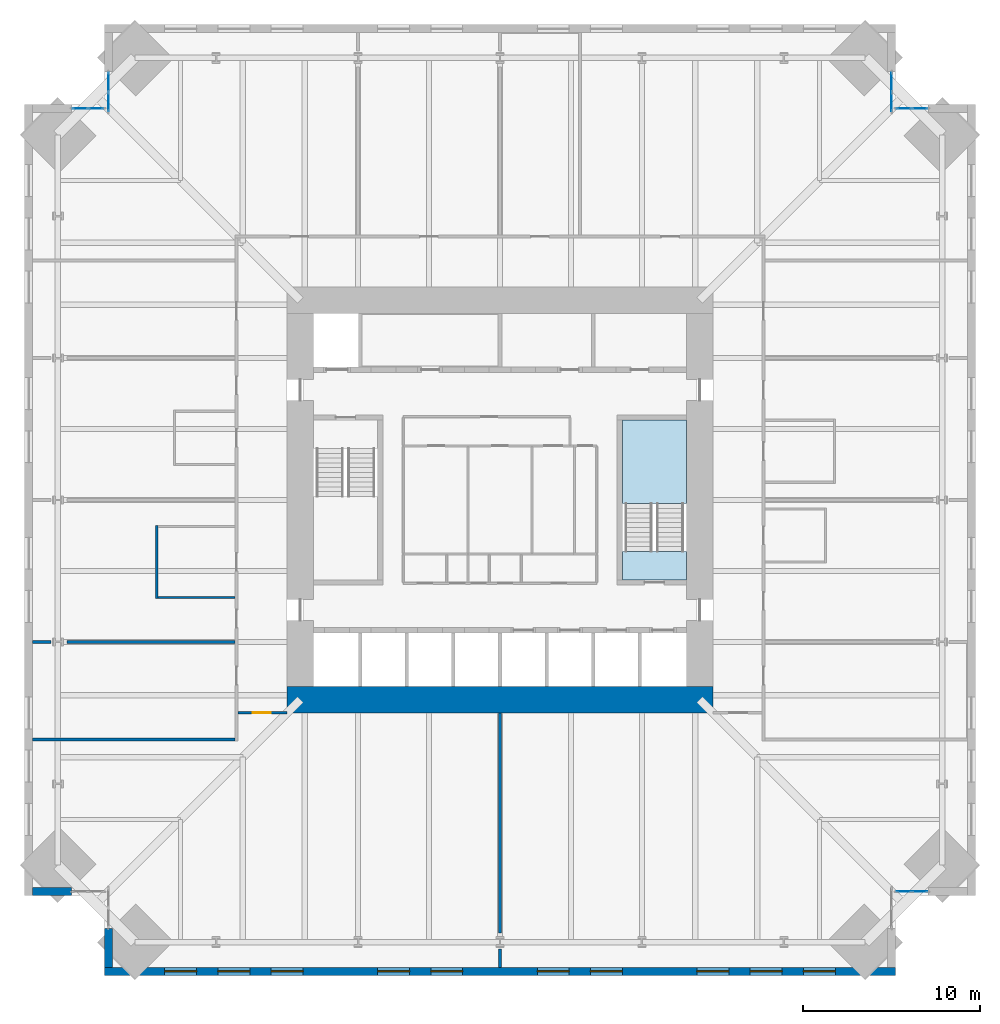
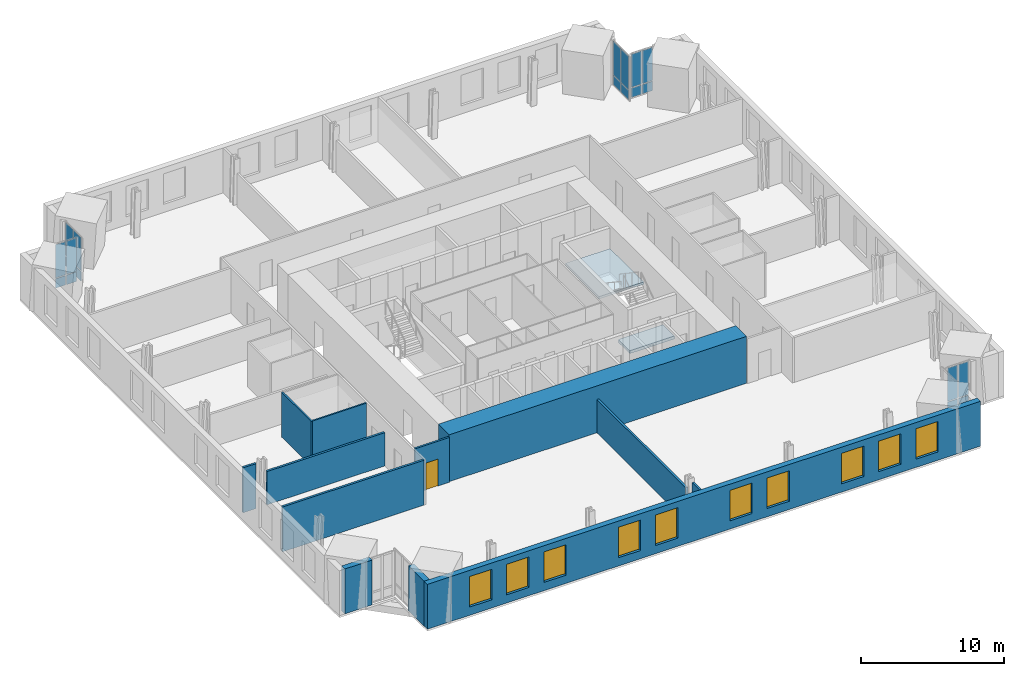
# One storey, part 11 of 17: 20 plates, 12 walls, 10 windows, 2 slabs, 1 door, 11 openings, 6 elements without a shape of their own.
"""IFC4 building model written with IfcOpenShell, lengths in metres."""

from ifc_helpers import new_model, si_unit, direction, frame, frame_2d, origin, origin_2d, place, context, subcontext, project, spatial, polyline, rectangle, outline, extrude, material, layer, layer_set, type_object, element, fill, aggregate, save


model = new_model("IFC4")

# Units and contexts
model_context = context("Model", 3, precision=1e-05, world=origin(), true_north=direction((0.0, 1.0)))
body_context = subcontext(model_context, "Body", "Model", "MODEL_VIEW")
ifc_project = project(units=[si_unit("LENGTHUNIT", "METRE"), si_unit("AREAUNIT", "SQUARE_METRE"), si_unit("VOLUMEUNIT", "CUBIC_METRE"), si_unit("PLANEANGLEUNIT", "RADIAN"), si_unit("MASSUNIT", "GRAM", prefix="KILO")], contexts=[model_context])

# Site, building, storey
site_placement = place(None, origin())
site = spatial("IfcSite", under=ifc_project, at=site_placement, CompositionType="ELEMENT")
building_placement = place(site_placement, origin())
building = spatial("IfcBuilding", under=site, at=building_placement, Name="Peilmerk Tower", CompositionType="ELEMENT")
storey_placement = place(building_placement, frame((0.0, 0.0, 147.800048828125)))
storey = spatial("IfcBuildingStorey", under=building, at=storey_placement, Name="L30", CompositionType="ELEMENT", Elevation=147.800048828125)

# Curtain wall, plates
ifc_material_1 = material(Name="Aluminium stick curtain wall", Category="aluminium")
curtain_wall_type = type_object("IfcCurtainWallType", Name="CW3 stick curtain wall, 2250 module", PredefinedType="NOTDEFINED", material=ifc_material_1)
curtain_wall_1_placement = place(storey_placement, origin())
curtain_wall_1 = element("IfcCurtainWall", 1, at=curtain_wall_1_placement, inside=storey, type_object=curtain_wall_type, Name="Curtain wall CW3 NEA L30", PredefinedType="NOTDEFINED")
ifc_material_2 = material(Name="Clear insulated glazing unit", Category="glass")
ifc_layer_1 = layer(ifc_material_2, 0.028076171875)
ifc_layer_set_1 = layer_set([ifc_layer_1], Name="Clear insulated glazing unit")
plate_type = type_object("IfcPlateType", Name="CW3-P 28 glazed panel", PredefinedType="CURTAIN_PANEL", material=ifc_layer_set_1)
plate_1_placement = place(storey_placement, frame((22.074951171875, 22.4384765625, 0.06494140625), z_axis=(0.0, 0.0, 1.0), x_axis=(0.0, 1.0, 0.0)))
plate_1 = element("IfcPlate", 2, at=plate_1_placement, type_object=plate_type, Name="CW3 panel 1.1", PredefinedType="CURTAIN_PANEL", context=body_context, shape_type="SweptSolid", body=[
    extrude(rectangle(XDim=1.046875, YDim=0.028076171875, at=origin_2d()), origin(), (0.0, 0.0, 1.0), 0.802490234375),
])
plate_2_placement = place(storey_placement, frame((22.074951171875, 22.4384765625, 0.932373046875), z_axis=(0.0, 0.0, 1.0), x_axis=(0.0, 1.0, 0.0)))
plate_2 = element("IfcPlate", 3, at=plate_2_placement, type_object=plate_type, Name="CW3 panel 1.2", PredefinedType="CURTAIN_PANEL", context=body_context, shape_type="SweptSolid", body=[
    extrude(rectangle(XDim=1.046875, YDim=0.028076171875, at=origin_2d()), origin(), (0.0, 0.0, 1.0), 2.83251953125),
])
plate_3_placement = place(storey_placement, frame((22.074951171875, 23.55029296875, 0.06494140625), z_axis=(0.0, 0.0, 1.0), x_axis=(0.0, 1.0, 0.0)))
plate_3 = element("IfcPlate", 4, at=plate_3_placement, type_object=plate_type, Name="CW3 panel 2.1", PredefinedType="CURTAIN_PANEL", context=body_context, shape_type="SweptSolid", body=[
    extrude(rectangle(XDim=1.046875, YDim=0.028076171875, at=origin_2d()), origin(), (0.0, 0.0, 1.0), 0.802490234375),
])
plate_4_placement = place(storey_placement, frame((22.074951171875, 23.55029296875, 0.932373046875), z_axis=(0.0, 0.0, 1.0), x_axis=(0.0, 1.0, 0.0)))
plate_4 = element("IfcPlate", 5, at=plate_4_placement, type_object=plate_type, Name="CW3 panel 2.2", PredefinedType="CURTAIN_PANEL", context=body_context, shape_type="SweptSolid", body=[
    extrude(rectangle(XDim=1.046875, YDim=0.028076171875, at=origin_2d()), origin(), (0.0, 0.0, 1.0), 2.83251953125),
])
aggregate(curtain_wall_1, [plate_1, plate_2, plate_3, plate_4])

curtain_wall_2_placement = place(storey_placement, origin())
curtain_wall_2 = element("IfcCurtainWall", 6, at=curtain_wall_2_placement, inside=storey, type_object=curtain_wall_type, Name="Curtain wall CW3 NEB L30", PredefinedType="NOTDEFINED")
plate_5_placement = place(storey_placement, frame((22.77587890625, 22.074951171875, 0.06494140625), z_axis=(0.0, 0.0, 1.0), x_axis=(1.0, 0.0, 0.0)))
plate_5 = element("IfcPlate", 7, at=plate_5_placement, type_object=plate_type, Name="CW3 panel 1.1", PredefinedType="CURTAIN_PANEL", context=body_context, shape_type="SweptSolid", body=[
    extrude(rectangle(XDim=0.82177734375, YDim=0.028076171875, at=origin_2d()), origin(), (0.0, 0.0, 1.0), 0.802490234375),
])
plate_6_placement = place(storey_placement, frame((22.77587890625, 22.074951171875, 0.932373046875), z_axis=(0.0, 0.0, 1.0), x_axis=(1.0, 0.0, 0.0)))
plate_6 = element("IfcPlate", 8, at=plate_6_placement, type_object=plate_type, Name="CW3 panel 1.2", PredefinedType="CURTAIN_PANEL", context=body_context, shape_type="SweptSolid", body=[
    extrude(rectangle(XDim=0.82177734375, YDim=0.028076171875, at=origin_2d()), origin(), (0.0, 0.0, 1.0), 2.83251953125),
])
plate_7_placement = place(storey_placement, frame((23.662841796875, 22.074951171875, 0.06494140625), z_axis=(0.0, 0.0, 1.0), x_axis=(1.0, 0.0, 0.0)))
plate_7 = element("IfcPlate", 9, at=plate_7_placement, type_object=plate_type, Name="CW3 panel 2.1", PredefinedType="CURTAIN_PANEL", context=body_context, shape_type="SweptSolid", body=[
    extrude(rectangle(XDim=0.82177734375, YDim=0.028076171875, at=origin_2d()), origin(), (0.0, 0.0, 1.0), 0.802490234375),
])
plate_8_placement = place(storey_placement, frame((23.662841796875, 22.074951171875, 0.932373046875), z_axis=(0.0, 0.0, 1.0), x_axis=(1.0, 0.0, 0.0)))
plate_8 = element("IfcPlate", 10, at=plate_8_placement, type_object=plate_type, Name="CW3 panel 2.2", PredefinedType="CURTAIN_PANEL", context=body_context, shape_type="SweptSolid", body=[
    extrude(rectangle(XDim=0.82177734375, YDim=0.028076171875, at=origin_2d()), origin(), (0.0, 0.0, 1.0), 2.83251953125),
])
aggregate(curtain_wall_2, [plate_5, plate_6, plate_7, plate_8])

curtain_wall_3_placement = place(storey_placement, origin())
curtain_wall_3 = element("IfcCurtainWall", 11, at=curtain_wall_3_placement, inside=storey, type_object=curtain_wall_type, Name="Curtain wall CW3 SEB L30", PredefinedType="NOTDEFINED")
plate_9_placement = place(storey_placement, frame((22.77587890625, -22.074951171875, 0.06494140625), z_axis=(0.0, 0.0, 1.0), x_axis=(1.0, 0.0, 0.0)))
plate_9 = element("IfcPlate", 12, at=plate_9_placement, type_object=plate_type, Name="CW3 panel 1.1", PredefinedType="CURTAIN_PANEL", context=body_context, shape_type="SweptSolid", body=[
    extrude(rectangle(XDim=0.82177734375, YDim=0.028076171875, at=origin_2d()), origin(), (0.0, 0.0, 1.0), 0.802490234375),
])
plate_10_placement = place(storey_placement, frame((22.77587890625, -22.074951171875, 0.932373046875), z_axis=(0.0, 0.0, 1.0), x_axis=(1.0, 0.0, 0.0)))
plate_10 = element("IfcPlate", 13, at=plate_10_placement, type_object=plate_type, Name="CW3 panel 1.2", PredefinedType="CURTAIN_PANEL", context=body_context, shape_type="SweptSolid", body=[
    extrude(rectangle(XDim=0.82177734375, YDim=0.028076171875, at=origin_2d()), origin(), (0.0, 0.0, 1.0), 2.83251953125),
])
plate_11_placement = place(storey_placement, frame((23.662841796875, -22.074951171875, 0.06494140625), z_axis=(0.0, 0.0, 1.0), x_axis=(1.0, 0.0, 0.0)))
plate_11 = element("IfcPlate", 14, at=plate_11_placement, type_object=plate_type, Name="CW3 panel 2.1", PredefinedType="CURTAIN_PANEL", context=body_context, shape_type="SweptSolid", body=[
    extrude(rectangle(XDim=0.82177734375, YDim=0.028076171875, at=origin_2d()), origin(), (0.0, 0.0, 1.0), 0.802490234375),
])
plate_12_placement = place(storey_placement, frame((23.662841796875, -22.074951171875, 0.932373046875), z_axis=(0.0, 0.0, 1.0), x_axis=(1.0, 0.0, 0.0)))
plate_12 = element("IfcPlate", 15, at=plate_12_placement, type_object=plate_type, Name="CW3 panel 2.2", PredefinedType="CURTAIN_PANEL", context=body_context, shape_type="SweptSolid", body=[
    extrude(rectangle(XDim=0.82177734375, YDim=0.028076171875, at=origin_2d()), origin(), (0.0, 0.0, 1.0), 2.83251953125),
])
aggregate(curtain_wall_3, [plate_9, plate_10, plate_11, plate_12])

curtain_wall_4_placement = place(storey_placement, origin())
curtain_wall_4 = element("IfcCurtainWall", 16, at=curtain_wall_4_placement, inside=storey, type_object=curtain_wall_type, Name="Curtain wall CW3 NWA L30", PredefinedType="NOTDEFINED")
plate_13_placement = place(storey_placement, frame((-22.074951171875, 22.4384765625, 0.06494140625), z_axis=(0.0, 0.0, 1.0), x_axis=(0.0, 1.0, 0.0)))
plate_13 = element("IfcPlate", 17, at=plate_13_placement, type_object=plate_type, Name="CW3 panel 1.1", PredefinedType="CURTAIN_PANEL", context=body_context, shape_type="SweptSolid", body=[
    extrude(rectangle(XDim=1.046875, YDim=0.028076171875, at=origin_2d()), origin(), (0.0, 0.0, 1.0), 0.802490234375),
])
plate_14_placement = place(storey_placement, frame((-22.074951171875, 22.4384765625, 0.932373046875), z_axis=(0.0, 0.0, 1.0), x_axis=(0.0, 1.0, 0.0)))
plate_14 = element("IfcPlate", 18, at=plate_14_placement, type_object=plate_type, Name="CW3 panel 1.2", PredefinedType="CURTAIN_PANEL", context=body_context, shape_type="SweptSolid", body=[
    extrude(rectangle(XDim=1.046875, YDim=0.028076171875, at=origin_2d()), origin(), (0.0, 0.0, 1.0), 2.83251953125),
])
plate_15_placement = place(storey_placement, frame((-22.074951171875, 23.55029296875, 0.06494140625), z_axis=(0.0, 0.0, 1.0), x_axis=(0.0, 1.0, 0.0)))
plate_15 = element("IfcPlate", 19, at=plate_15_placement, type_object=plate_type, Name="CW3 panel 2.1", PredefinedType="CURTAIN_PANEL", context=body_context, shape_type="SweptSolid", body=[
    extrude(rectangle(XDim=1.046875, YDim=0.028076171875, at=origin_2d()), origin(), (0.0, 0.0, 1.0), 0.802490234375),
])
plate_16_placement = place(storey_placement, frame((-22.074951171875, 23.55029296875, 0.932373046875), z_axis=(0.0, 0.0, 1.0), x_axis=(0.0, 1.0, 0.0)))
plate_16 = element("IfcPlate", 20, at=plate_16_placement, type_object=plate_type, Name="CW3 panel 2.2", PredefinedType="CURTAIN_PANEL", context=body_context, shape_type="SweptSolid", body=[
    extrude(rectangle(XDim=1.046875, YDim=0.028076171875, at=origin_2d()), origin(), (0.0, 0.0, 1.0), 2.83251953125),
])
aggregate(curtain_wall_4, [plate_13, plate_14, plate_15, plate_16])

curtain_wall_5_placement = place(storey_placement, origin())
curtain_wall_5 = element("IfcCurtainWall", 21, at=curtain_wall_5_placement, inside=storey, type_object=curtain_wall_type, Name="Curtain wall CW3 NWB L30", PredefinedType="NOTDEFINED")
plate_17_placement = place(storey_placement, frame((-22.77587890625, 22.074951171875, 0.06494140625), z_axis=(0.0, 0.0, 1.0), x_axis=(-1.0, 0.0, 0.0)))
plate_17 = element("IfcPlate", 22, at=plate_17_placement, type_object=plate_type, Name="CW3 panel 1.1", PredefinedType="CURTAIN_PANEL", context=body_context, shape_type="SweptSolid", body=[
    extrude(rectangle(XDim=0.82177734375, YDim=0.028076171875, at=origin_2d()), origin(), (0.0, 0.0, 1.0), 0.802490234375),
])
plate_18_placement = place(storey_placement, frame((-22.77587890625, 22.074951171875, 0.932373046875), z_axis=(0.0, 0.0, 1.0), x_axis=(-1.0, 0.0, 0.0)))
plate_18 = element("IfcPlate", 23, at=plate_18_placement, type_object=plate_type, Name="CW3 panel 1.2", PredefinedType="CURTAIN_PANEL", context=body_context, shape_type="SweptSolid", body=[
    extrude(rectangle(XDim=0.82177734375, YDim=0.028076171875, at=origin_2d()), origin(), (0.0, 0.0, 1.0), 2.83251953125),
])
plate_19_placement = place(storey_placement, frame((-23.662841796875, 22.074951171875, 0.06494140625), z_axis=(0.0, 0.0, 1.0), x_axis=(-1.0, 0.0, 0.0)))
plate_19 = element("IfcPlate", 24, at=plate_19_placement, type_object=plate_type, Name="CW3 panel 2.1", PredefinedType="CURTAIN_PANEL", context=body_context, shape_type="SweptSolid", body=[
    extrude(rectangle(XDim=0.82177734375, YDim=0.028076171875, at=origin_2d()), origin(), (0.0, 0.0, 1.0), 0.802490234375),
])
plate_20_placement = place(storey_placement, frame((-23.662841796875, 22.074951171875, 0.932373046875), z_axis=(0.0, 0.0, 1.0), x_axis=(-1.0, 0.0, 0.0)))
plate_20 = element("IfcPlate", 25, at=plate_20_placement, type_object=plate_type, Name="CW3 panel 2.2", PredefinedType="CURTAIN_PANEL", context=body_context, shape_type="SweptSolid", body=[
    extrude(rectangle(XDim=0.82177734375, YDim=0.028076171875, at=origin_2d()), origin(), (0.0, 0.0, 1.0), 2.83251953125),
])
aggregate(curtain_wall_5, [plate_17, plate_18, plate_19, plate_20])

# Stair, slabs
ifc_material_3 = material(Name="Precast concrete C45/55", Category="concrete")
stair_type = type_object("IfcStairType", Name="ST2 22 risers of 181.8", PredefinedType="HALF_TURN_STAIR", material=ifc_material_3)
stair_placement = place(storey_placement, origin())
stair = element("IfcStair", 26, at=stair_placement, inside=storey, type_object=stair_type, Name="Stair 2 L30 to L31", PredefinedType="HALF_TURN_STAIR")
ifc_material_4 = material(Name="Concrete C35/45", Category="concrete")
ifc_layer_2 = layer(ifc_material_4, 0.199951171875)
ifc_layer_set_2 = layer_set([ifc_layer_2], Name="Concrete C35/45")
slab_type_1 = type_object("IfcSlabType", Name="SL1 200 concrete stair landing", PredefinedType="LANDING", material=ifc_layer_set_2)
slab_1_placement = place(storey_placement, frame((0.0, 0.0, 1.800048828125)))
slab_1 = element("IfcSlab", 27, at=slab_1_placement, type_object=slab_type_1, Name="ST2 landing 1", PredefinedType="LANDING", context=body_context, shape_type="SweptSolid", body=[
    extrude(outline(polyline([(6.89990234375, -0.199951171875), (10.5, -0.199951171875), (10.5, 4.5), (6.89990234375, 4.5), (6.89990234375, -0.199951171875)])), origin(), (0.0, 0.0, 1.0), 0.199951171875),
])
ifc_layer_3 = layer(ifc_material_4, 0.25)
ifc_layer_set_3 = layer_set([ifc_layer_3], Name="Concrete C35/45")
slab_type_2 = type_object("IfcSlabType", Name="SL2 250 concrete floor landing", PredefinedType="LANDING", material=ifc_layer_set_3)
slab_2_placement = place(storey_placement, frame((0.0, 0.0, -0.25)))
slab_2 = element("IfcSlab", 28, at=slab_2_placement, type_object=slab_type_2, Name="ST2 floor landing", PredefinedType="LANDING", context=body_context, shape_type="SweptSolid", body=[
    extrude(outline(polyline([(6.89990234375, -4.5), (10.5, -4.5), (10.5, -2.89990234375), (6.89990234375, -2.89990234375), (6.89990234375, -4.5)])), origin(), (0.0, 0.0, 1.0), 0.25),
])
aggregate(stair, [slab_1, slab_2])

# Wall, openings, windows
ifc_material_5 = material(Name="Precast concrete C45/55, board-marked finish", Category="concrete")
ifc_layer_4 = layer(ifc_material_5, 0.449951171875)
ifc_layer_set_4 = layer_set([ifc_layer_4], Name="Precast concrete C45/55, board-marked finish")
wall_type_1 = type_object("IfcWallType", Name="EW1 450 precast concrete facade wall, board-marked", PredefinedType="SOLIDWALL", material=ifc_layer_set_4)
wall_1_placement = place(storey_placement, frame((-22.300048828125, -26.574951171875, 0.0), z_axis=(0.0, 0.0, 1.0), x_axis=(1.0, 0.0, 0.0)))
wall_1 = element("IfcWall", 29, at=wall_1_placement, inside=storey, type_object=wall_type_1, Name="Facade wall S L30", PredefinedType="SOLIDWALL", context=body_context, shape_type="SweptSolid", body=[
    extrude(rectangle(XDim=44.60009765625, YDim=0.449951171875, at=frame_2d((22.300048828125, 0.0))), origin(), (0.0, 0.0, 1.0), 3.829833984375),
])
opening_1_placement = place(wall_1_placement, frame((3.39990234375, 0.0, 0.699951171875)))
opening_1 = element("IfcOpeningElement", 30, at=opening_1_placement, cuts=wall_1, Name="Opening W1", PredefinedType="OPENING", context=body_context, shape_type="SweptSolid", body=[
    extrude(rectangle(XDim=1.800048828125, YDim=2.60009765625, at=frame_2d((0.89990234375, 1.300048828125))), frame((0.0, 0.23486328125, 0.0), z_axis=(0.0, -1.0, 0.0), x_axis=(1.0, 0.0, 0.0)), (0.0, 0.0, 1.0), 0.469970703125),
])
opening_2_placement = place(wall_1_placement, frame((6.39990234375, 0.0, 0.699951171875)))
opening_2 = element("IfcOpeningElement", 31, at=opening_2_placement, cuts=wall_1, Name="Opening W1", PredefinedType="OPENING", context=body_context, shape_type="SweptSolid", body=[
    extrude(rectangle(XDim=1.800048828125, YDim=2.60009765625, at=frame_2d((0.89990234375, 1.300048828125))), frame((0.0, 0.23486328125, 0.0), z_axis=(0.0, -1.0, 0.0), x_axis=(1.0, 0.0, 0.0)), (0.0, 0.0, 1.0), 0.469970703125),
])
opening_3_placement = place(wall_1_placement, frame((9.39990234375, 0.0, 0.699951171875)))
opening_3 = element("IfcOpeningElement", 32, at=opening_3_placement, cuts=wall_1, Name="Opening W1", PredefinedType="OPENING", context=body_context, shape_type="SweptSolid", body=[
    extrude(rectangle(XDim=1.800048828125, YDim=2.60009765625, at=frame_2d((0.89990234375, 1.300048828125))), frame((0.0, 0.23486328125, 0.0), z_axis=(0.0, -1.0, 0.0), x_axis=(1.0, 0.0, 0.0)), (0.0, 0.0, 1.0), 0.469970703125),
])
opening_4_placement = place(wall_1_placement, frame((15.39990234375, 0.0, 0.699951171875)))
opening_4 = element("IfcOpeningElement", 33, at=opening_4_placement, cuts=wall_1, Name="Opening W1", PredefinedType="OPENING", context=body_context, shape_type="SweptSolid", body=[
    extrude(rectangle(XDim=1.800048828125, YDim=2.60009765625, at=frame_2d((0.89990234375, 1.300048828125))), frame((0.0, 0.23486328125, 0.0), z_axis=(0.0, -1.0, 0.0), x_axis=(1.0, 0.0, 0.0)), (0.0, 0.0, 1.0), 0.469970703125),
])
opening_5_placement = place(wall_1_placement, frame((18.39990234375, 0.0, 0.699951171875)))
opening_5 = element("IfcOpeningElement", 34, at=opening_5_placement, cuts=wall_1, Name="Opening W1", PredefinedType="OPENING", context=body_context, shape_type="SweptSolid", body=[
    extrude(rectangle(XDim=1.800048828125, YDim=2.60009765625, at=frame_2d((0.89990234375, 1.300048828125))), frame((0.0, 0.23486328125, 0.0), z_axis=(0.0, -1.0, 0.0), x_axis=(1.0, 0.0, 0.0)), (0.0, 0.0, 1.0), 0.469970703125),
])
opening_6_placement = place(wall_1_placement, frame((24.39990234375, 0.0, 0.699951171875)))
opening_6 = element("IfcOpeningElement", 35, at=opening_6_placement, cuts=wall_1, Name="Opening W1", PredefinedType="OPENING", context=body_context, shape_type="SweptSolid", body=[
    extrude(rectangle(XDim=1.800048828125, YDim=2.60009765625, at=frame_2d((0.89990234375, 1.300048828125))), frame((0.0, 0.23486328125, 0.0), z_axis=(0.0, -1.0, 0.0), x_axis=(1.0, 0.0, 0.0)), (0.0, 0.0, 1.0), 0.469970703125),
])
opening_7_placement = place(wall_1_placement, frame((27.39990234375, 0.0, 0.699951171875)))
opening_7 = element("IfcOpeningElement", 36, at=opening_7_placement, cuts=wall_1, Name="Opening W1", PredefinedType="OPENING", context=body_context, shape_type="SweptSolid", body=[
    extrude(rectangle(XDim=1.800048828125, YDim=2.60009765625, at=frame_2d((0.89990234375, 1.300048828125))), frame((0.0, 0.23486328125, 0.0), z_axis=(0.0, -1.0, 0.0), x_axis=(1.0, 0.0, 0.0)), (0.0, 0.0, 1.0), 0.469970703125),
])
opening_8_placement = place(wall_1_placement, frame((33.39990234375, 0.0, 0.699951171875)))
opening_8 = element("IfcOpeningElement", 37, at=opening_8_placement, cuts=wall_1, Name="Opening W1", PredefinedType="OPENING", context=body_context, shape_type="SweptSolid", body=[
    extrude(rectangle(XDim=1.800048828125, YDim=2.60009765625, at=frame_2d((0.89990234375, 1.300048828125))), frame((0.0, 0.23486328125, 0.0), z_axis=(0.0, -1.0, 0.0), x_axis=(1.0, 0.0, 0.0)), (0.0, 0.0, 1.0), 0.469970703125),
])
opening_9_placement = place(wall_1_placement, frame((36.39990234375, 0.0, 0.699951171875)))
opening_9 = element("IfcOpeningElement", 38, at=opening_9_placement, cuts=wall_1, Name="Opening W1", PredefinedType="OPENING", context=body_context, shape_type="SweptSolid", body=[
    extrude(rectangle(XDim=1.800048828125, YDim=2.60009765625, at=frame_2d((0.89990234375, 1.300048828125))), frame((0.0, 0.23486328125, 0.0), z_axis=(0.0, -1.0, 0.0), x_axis=(1.0, 0.0, 0.0)), (0.0, 0.0, 1.0), 0.469970703125),
])
opening_10_placement = place(wall_1_placement, frame((39.39990234375, 0.0, 0.699951171875)))
opening_10 = element("IfcOpeningElement", 39, at=opening_10_placement, cuts=wall_1, Name="Opening W1", PredefinedType="OPENING", context=body_context, shape_type="SweptSolid", body=[
    extrude(rectangle(XDim=1.800048828125, YDim=2.60009765625, at=frame_2d((0.89990234375, 1.300048828125))), frame((0.0, 0.23486328125, 0.0), z_axis=(0.0, -1.0, 0.0), x_axis=(1.0, 0.0, 0.0)), (0.0, 0.0, 1.0), 0.469970703125),
])
ifc_material_6 = material(Name="Aluminium frame, clear double glazing", Category="aluminium")
window_type = type_object("IfcWindowType", Name="W1 1800x2600 office window", PartitioningType="SINGLE_PANEL", PredefinedType="WINDOW", material=ifc_material_6)
window_1_placement = place(opening_1_placement, origin())
window_1 = element("IfcWindow", 40, at=window_1_placement, inside=storey, type_object=window_type, Name="Window W1 L30", OverallHeight=2.60009765625, OverallWidth=1.800048828125, PartitioningType="SINGLE_PANEL", PredefinedType="WINDOW", context=body_context, shape_type="SweptSolid", body=[
    extrude(rectangle(XDim=1.800048828125, YDim=2.60009765625, at=frame_2d((0.89990234375, 1.300048828125))), frame((0.0, 0.030029296875, 0.0), z_axis=(0.0, -1.0, 0.0), x_axis=(1.0, 0.0, 0.0)), (0.0, 0.0, 1.0), 0.06005859375),
])
fill(opening_1, window_1)
window_2_placement = place(opening_2_placement, origin())
window_2 = element("IfcWindow", 41, at=window_2_placement, inside=storey, type_object=window_type, Name="Window W1 L30", OverallHeight=2.60009765625, OverallWidth=1.800048828125, PartitioningType="SINGLE_PANEL", PredefinedType="WINDOW", context=body_context, shape_type="SweptSolid", body=[
    extrude(rectangle(XDim=1.800048828125, YDim=2.60009765625, at=frame_2d((0.89990234375, 1.300048828125))), frame((0.0, 0.030029296875, 0.0), z_axis=(0.0, -1.0, 0.0), x_axis=(1.0, 0.0, 0.0)), (0.0, 0.0, 1.0), 0.06005859375),
])
fill(opening_2, window_2)
window_3_placement = place(opening_3_placement, origin())
window_3 = element("IfcWindow", 42, at=window_3_placement, inside=storey, type_object=window_type, Name="Window W1 L30", OverallHeight=2.60009765625, OverallWidth=1.800048828125, PartitioningType="SINGLE_PANEL", PredefinedType="WINDOW", context=body_context, shape_type="SweptSolid", body=[
    extrude(rectangle(XDim=1.800048828125, YDim=2.60009765625, at=frame_2d((0.89990234375, 1.300048828125))), frame((0.0, 0.030029296875, 0.0), z_axis=(0.0, -1.0, 0.0), x_axis=(1.0, 0.0, 0.0)), (0.0, 0.0, 1.0), 0.06005859375),
])
fill(opening_3, window_3)
window_4_placement = place(opening_4_placement, origin())
window_4 = element("IfcWindow", 43, at=window_4_placement, inside=storey, type_object=window_type, Name="Window W1 L30", OverallHeight=2.60009765625, OverallWidth=1.800048828125, PartitioningType="SINGLE_PANEL", PredefinedType="WINDOW", context=body_context, shape_type="SweptSolid", body=[
    extrude(rectangle(XDim=1.800048828125, YDim=2.60009765625, at=frame_2d((0.89990234375, 1.300048828125))), frame((0.0, 0.030029296875, 0.0), z_axis=(0.0, -1.0, 0.0), x_axis=(1.0, 0.0, 0.0)), (0.0, 0.0, 1.0), 0.06005859375),
])
fill(opening_4, window_4)
window_5_placement = place(opening_5_placement, origin())
window_5 = element("IfcWindow", 44, at=window_5_placement, inside=storey, type_object=window_type, Name="Window W1 L30", OverallHeight=2.60009765625, OverallWidth=1.800048828125, PartitioningType="SINGLE_PANEL", PredefinedType="WINDOW", context=body_context, shape_type="SweptSolid", body=[
    extrude(rectangle(XDim=1.800048828125, YDim=2.60009765625, at=frame_2d((0.89990234375, 1.300048828125))), frame((0.0, 0.030029296875, 0.0), z_axis=(0.0, -1.0, 0.0), x_axis=(1.0, 0.0, 0.0)), (0.0, 0.0, 1.0), 0.06005859375),
])
fill(opening_5, window_5)
window_6_placement = place(opening_6_placement, origin())
window_6 = element("IfcWindow", 45, at=window_6_placement, inside=storey, type_object=window_type, Name="Window W1 L30", OverallHeight=2.60009765625, OverallWidth=1.800048828125, PartitioningType="SINGLE_PANEL", PredefinedType="WINDOW", context=body_context, shape_type="SweptSolid", body=[
    extrude(rectangle(XDim=1.800048828125, YDim=2.60009765625, at=frame_2d((0.89990234375, 1.300048828125))), frame((0.0, 0.030029296875, 0.0), z_axis=(0.0, -1.0, 0.0), x_axis=(1.0, 0.0, 0.0)), (0.0, 0.0, 1.0), 0.06005859375),
])
fill(opening_6, window_6)
window_7_placement = place(opening_7_placement, origin())
window_7 = element("IfcWindow", 46, at=window_7_placement, inside=storey, type_object=window_type, Name="Window W1 L30", OverallHeight=2.60009765625, OverallWidth=1.800048828125, PartitioningType="SINGLE_PANEL", PredefinedType="WINDOW", context=body_context, shape_type="SweptSolid", body=[
    extrude(rectangle(XDim=1.800048828125, YDim=2.60009765625, at=frame_2d((0.89990234375, 1.300048828125))), frame((0.0, 0.030029296875, 0.0), z_axis=(0.0, -1.0, 0.0), x_axis=(1.0, 0.0, 0.0)), (0.0, 0.0, 1.0), 0.06005859375),
])
fill(opening_7, window_7)
window_8_placement = place(opening_8_placement, origin())
window_8 = element("IfcWindow", 47, at=window_8_placement, inside=storey, type_object=window_type, Name="Window W1 L30", OverallHeight=2.60009765625, OverallWidth=1.800048828125, PartitioningType="SINGLE_PANEL", PredefinedType="WINDOW", context=body_context, shape_type="SweptSolid", body=[
    extrude(rectangle(XDim=1.800048828125, YDim=2.60009765625, at=frame_2d((0.89990234375, 1.300048828125))), frame((0.0, 0.030029296875, 0.0), z_axis=(0.0, -1.0, 0.0), x_axis=(1.0, 0.0, 0.0)), (0.0, 0.0, 1.0), 0.06005859375),
])
fill(opening_8, window_8)
window_9_placement = place(opening_9_placement, origin())
window_9 = element("IfcWindow", 48, at=window_9_placement, inside=storey, type_object=window_type, Name="Window W1 L30", OverallHeight=2.60009765625, OverallWidth=1.800048828125, PartitioningType="SINGLE_PANEL", PredefinedType="WINDOW", context=body_context, shape_type="SweptSolid", body=[
    extrude(rectangle(XDim=1.800048828125, YDim=2.60009765625, at=frame_2d((0.89990234375, 1.300048828125))), frame((0.0, 0.030029296875, 0.0), z_axis=(0.0, -1.0, 0.0), x_axis=(1.0, 0.0, 0.0)), (0.0, 0.0, 1.0), 0.06005859375),
])
fill(opening_9, window_9)
window_10_placement = place(opening_10_placement, origin())
window_10 = element("IfcWindow", 49, at=window_10_placement, inside=storey, type_object=window_type, Name="Window W1 L30", OverallHeight=2.60009765625, OverallWidth=1.800048828125, PartitioningType="SINGLE_PANEL", PredefinedType="WINDOW", context=body_context, shape_type="SweptSolid", body=[
    extrude(rectangle(XDim=1.800048828125, YDim=2.60009765625, at=frame_2d((0.89990234375, 1.300048828125))), frame((0.0, 0.030029296875, 0.0), z_axis=(0.0, -1.0, 0.0), x_axis=(1.0, 0.0, 0.0)), (0.0, 0.0, 1.0), 0.06005859375),
])
fill(opening_10, window_10)

# Walls
for number, where, z_axis, x_axis, name in (
    (50, (-22.074951171875, -24.153564453125, 0.0), (0.0, 0.0, 1.0), (0.0, -1.0, 0.0), "Facade wall SWA L30"),
    (51, (-24.153564453125, -22.074951171875, 0.0), (0.0, 0.0, 1.0), (-1.0, 0.0, 0.0), "Facade wall SWB L30"),
):
    element("IfcWall", number, at=place(storey_placement, frame(where, z_axis=z_axis, x_axis=x_axis)), inside=storey, type_object=wall_type_1, Name=name, PredefinedType="SOLIDWALL", context=body_context, shape_type="SweptSolid", body=[
        extrude(rectangle(XDim=2.196533203125, YDim=0.449951171875, at=frame_2d((1.09814453125, 0.0))), origin(), (0.0, 0.0, 1.0), 3.829833984375),
    ])

# Wall, opening, door
ifc_material_7 = material(Name="Calcium silicate block", Category="masonry")
ifc_layer_5 = layer(ifc_material_7, 0.14990234375)
ifc_layer_set_5 = layer_set([ifc_layer_5], Name="Calcium silicate block")
wall_type_2 = type_object("IfcWallType", Name="IW1 150 corridor partition, EI 60", PredefinedType="PARTITIONING", material=ifc_layer_set_5)
wall_2_placement = place(storey_placement, frame((-12.0, -12.0, 0.0), z_axis=(0.0, 0.0, 1.0), x_axis=(-1.0, 0.0, 0.0)))
wall_2 = element("IfcWall", 52, at=wall_2_placement, inside=storey, type_object=wall_type_2, Name="Corridor wall SW L30", PredefinedType="PARTITIONING", context=body_context, shape_type="SweptSolid", body=[
    extrude(rectangle(XDim=2.77490234375, YDim=0.14990234375, at=frame_2d((1.387451171875, 0.0))), origin(), (0.0, 0.0, 1.0), 3.829833984375),
])
opening_11_placement = place(wall_2_placement, frame((0.925048828125, 0.0, 0.0)))
opening_11 = element("IfcOpeningElement", 53, at=opening_11_placement, cuts=wall_2, Name="Opening D1", PredefinedType="OPENING", context=body_context, shape_type="SweptSolid", body=[
    extrude(rectangle(XDim=1.0, YDim=2.300048828125, at=frame_2d((0.5, 1.14990234375))), frame((0.0, 0.0849609375, 0.0), z_axis=(0.0, -1.0, 0.0), x_axis=(1.0, 0.0, 0.0)), (0.0, 0.0, 1.0), 0.169921875),
])
ifc_material_8 = material(Name="Timber door in steel frame", Category="steel")
door_type = type_object("IfcDoorType", Name="D1 1000x2300 room door, EI2 30", OperationType="SINGLE_SWING_LEFT", PredefinedType="DOOR", material=ifc_material_8)
door_placement = place(opening_11_placement, origin())
door = element("IfcDoor", 54, at=door_placement, inside=storey, type_object=door_type, Name="Door Team workspace L30", OperationType="SINGLE_SWING_LEFT", OverallHeight=2.300048828125, OverallWidth=1.0, PredefinedType="DOOR", context=body_context, shape_type="SweptSolid", body=[
    extrude(rectangle(XDim=1.0, YDim=2.300048828125, at=frame_2d((0.5, 1.14990234375))), frame((0.0, 0.02490234375, 0.0), z_axis=(0.0, -1.0, 0.0), x_axis=(1.0, 0.0, 0.0)), (0.0, 0.0, 1.0), 0.050048828125),
])
fill(opening_11, door)

# Walls
ifc_material_9 = material(Name="Plasterboard on steel studs, double boarded with mineral wool", Category="steel")
ifc_layer_6 = layer(ifc_material_9, 0.125)
ifc_layer_set_6 = layer_set([ifc_layer_6], Name="Plasterboard on steel studs, double boarded with mineral wool")
wall_type_3 = type_object("IfcWallType", Name="IW7 125 acoustic partition, EI 30", PredefinedType="PARTITIONING", material=ifc_layer_set_6)
wall_3_placement = place(storey_placement, frame((-19.35009765625, -5.5625, 0.0), z_axis=(0.0, 0.0, 1.0), x_axis=(0.0, 1.0, 0.0)))
element("IfcWall", 55, at=wall_3_placement, inside=storey, type_object=wall_type_3, Name="Acoustic partition Meeting room L30", PredefinedType="PARTITIONING", context=body_context, shape_type="SweptSolid", body=[
    extrude(rectangle(XDim=4.125, YDim=0.125, at=frame_2d((2.0625, 0.0))), origin(), (0.0, 0.0, 1.0), 3.829833984375),
])
wall_4_placement = place(storey_placement, frame((-14.925048828125, -5.5, 0.0), z_axis=(0.0, 0.0, 1.0), x_axis=(-1.0, 0.0, 0.0)))
element("IfcWall", 56, at=wall_4_placement, inside=storey, type_object=wall_type_3, Name="Acoustic partition Meeting room L30", PredefinedType="PARTITIONING", context=body_context, shape_type="SweptSolid", body=[
    extrude(rectangle(XDim=4.362548828125, YDim=0.125, at=frame_2d((2.18115234375, 0.0))), origin(), (0.0, 0.0, 1.0), 3.829833984375),
])
ifc_layer_7 = layer(ifc_material_7, 0.175048828125)
ifc_layer_set_7 = layer_set([ifc_layer_7], Name="Calcium silicate block")
wall_type_4 = type_object("IfcWallType", Name="IW8 175 tenant separating wall, EI 60", PredefinedType="PARTITIONING", material=ifc_layer_set_7)
wall_5_placement = place(storey_placement, frame((-14.925048828125, -13.5, 0.0), z_axis=(0.0, 0.0, 1.0), x_axis=(-1.0, 0.0, 0.0)))
element("IfcWall", 57, at=wall_5_placement, inside=storey, type_object=wall_type_4, Name="Tenant separating wall SW L30", PredefinedType="PARTITIONING", context=body_context, shape_type="SweptSolid", body=[
    extrude(rectangle(XDim=11.425048828125, YDim=0.175048828125, at=frame_2d((5.71240234375, 0.0))), origin(), (0.0, 0.0, 1.0), 3.829833984375),
])
wall_6_placement = place(storey_placement, frame((0.0, -12.0, 0.0), z_axis=(0.0, 0.0, 1.0), x_axis=(0.0, -1.0, 0.0)))
element("IfcWall", 58, at=wall_6_placement, inside=storey, type_object=wall_type_4, Name="Tenant separating wall S1 L30", PredefinedType="PARTITIONING", context=body_context, shape_type="SweptSolid", body=[
    extrude(rectangle(XDim=12.411865234375, YDim=0.175048828125, at=frame_2d((6.2060546875, 0.0))), origin(), (0.0, 0.0, 1.0), 2.83984375),
])
wall_7_placement = place(storey_placement, frame((0.0, -25.301025390625, 0.0), z_axis=(0.0, 0.0, 1.0), x_axis=(0.0, -1.0, 0.0)))
element("IfcWall", 59, at=wall_7_placement, inside=storey, type_object=wall_type_4, Name="Tenant separating wall S1b L30", PredefinedType="PARTITIONING", context=body_context, shape_type="SweptSolid", body=[
    extrude(rectangle(XDim=1.049072265625, YDim=0.175048828125, at=frame_2d((0.5244140625, 0.0))), origin(), (0.0, 0.0, 1.0), 3.829833984375),
])
wall_8_placement = place(storey_placement, frame((-14.925048828125, -8.0, 0.0), z_axis=(0.0, 0.0, 1.0), x_axis=(-1.0, 0.0, 0.0)))
element("IfcWall", 60, at=wall_8_placement, inside=storey, type_object=wall_type_4, Name="Tenant separating wall W1 L30", PredefinedType="PARTITIONING", context=body_context, shape_type="SweptSolid", body=[
    extrude(rectangle(XDim=9.48681640625, YDim=0.175048828125, at=frame_2d((4.743408203125, 0.0))), origin(), (0.0, 0.0, 1.0), 2.83984375),
])
wall_9_placement = place(storey_placement, frame((-25.301025390625, -8.0, 0.0), z_axis=(0.0, 0.0, 1.0), x_axis=(-1.0, 0.0, 0.0)))
element("IfcWall", 61, at=wall_9_placement, inside=storey, type_object=wall_type_4, Name="Tenant separating wall W1b L30", PredefinedType="PARTITIONING", context=body_context, shape_type="SweptSolid", body=[
    extrude(rectangle(XDim=1.049072265625, YDim=0.175048828125, at=frame_2d((0.5244140625, 0.0))), origin(), (0.0, 0.0, 1.0), 3.829833984375),
])
ifc_material_10 = material(Name="Concrete C55/67", Category="concrete")
ifc_layer_8 = layer(ifc_material_10, 1.5)
ifc_layer_set_8 = layer_set([ifc_layer_8], Name="Concrete C55/67")
wall_type_5 = type_object("IfcWallType", Name="SW1 1500 core wall", PredefinedType="SHEAR", material=ifc_layer_set_8)
wall_10_placement = place(storey_placement, frame((12.0, -11.25, 0.0), z_axis=(0.0, 0.0, 1.0), x_axis=(-1.0, 0.0, 0.0)))
element("IfcWall", 62, at=wall_10_placement, inside=storey, type_object=wall_type_5, Name="Core wall S L30", PredefinedType="SHEAR", context=body_context, shape_type="SweptSolid", body=[
    extrude(rectangle(XDim=24.0, YDim=1.5, at=frame_2d((12.0, 0.0))), origin(), (0.0, 0.0, 1.0), 4.0),
])

save(model, "model.ifc")
